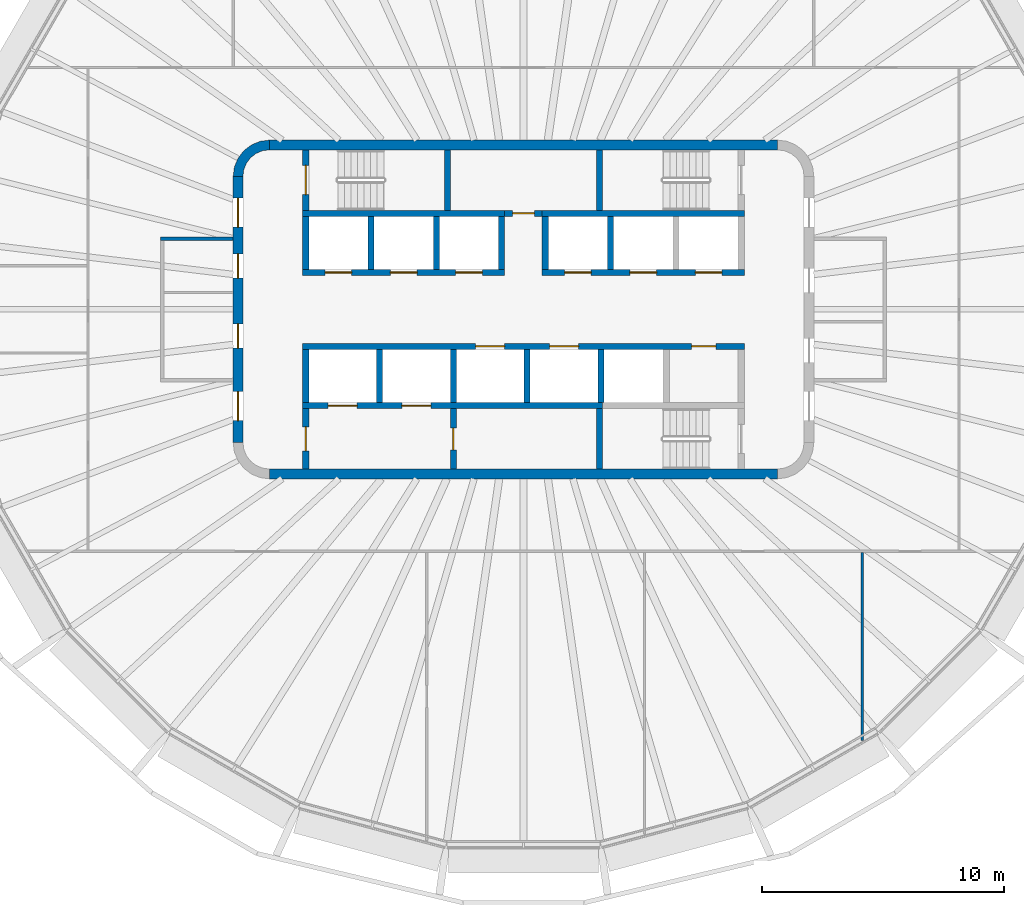
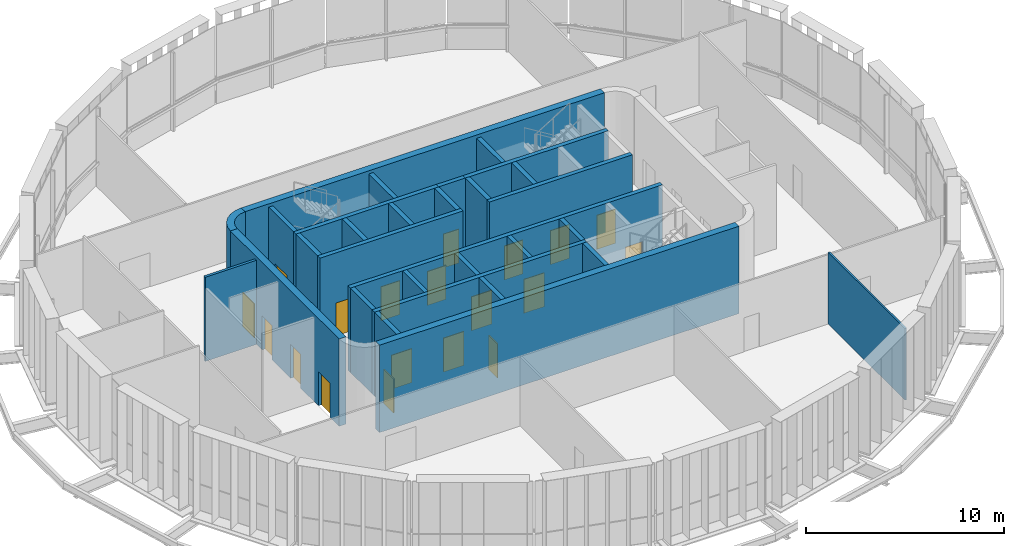
# One storey, part 7 of 16: 30 walls, 19 doors, 19 openings.
"""IFC4 building model written with IfcOpenShell, lengths in metres."""

from ifc_helpers import new_model, si_unit, direction, frame, frame_2d, origin, place, context, subcontext, project, spatial, polyline, rectangle, outline, extrude, material, layer, layer_set, type_object, element, fill, save


model = new_model("IFC4")

# Units and contexts
model_context = context("Model", 3, precision=1e-05, world=origin(), true_north=direction((0.0, 1.0)))
body_context = subcontext(model_context, "Body", "Model", "MODEL_VIEW")
ifc_project = project(units=[si_unit("LENGTHUNIT", "METRE"), si_unit("AREAUNIT", "SQUARE_METRE"), si_unit("VOLUMEUNIT", "CUBIC_METRE"), si_unit("PLANEANGLEUNIT", "RADIAN"), si_unit("MASSUNIT", "GRAM", prefix="KILO")], contexts=[model_context])

# Site, building, storey
site_placement = place(None, origin())
site = spatial("IfcSite", under=ifc_project, at=site_placement, CompositionType="ELEMENT")
building_placement = place(site_placement, origin())
building = spatial("IfcBuilding", under=site, at=building_placement, Name="Sahrelin Media Tower", CompositionType="ELEMENT")
storey_placement = place(building_placement, frame((0.0, 0.0, 324.39990234375)))
storey = spatial("IfcBuildingStorey", under=building, at=storey_placement, Name="L72", CompositionType="ELEMENT", Elevation=324.39990234375)

# Walls
ifc_material_1 = material(Name="Concrete C60/75", Category="concrete")
ifc_layer_1 = layer(ifc_material_1, 0.39990234375)
ifc_layer_set_1 = layer_set([ifc_layer_1], Name="Core wall 400")
wall_type_1 = type_object("IfcWallType", Name="Core wall 400", PredefinedType="SHEAR", material=ifc_layer_set_1)
for number, where, z_axis, x_axis, name in (
    (1, (-10.5, 6.800048828125, 0.0), (0.0, 0.0, 1.0), (1.0, 0.0, 0.0), "Core wall N L72"),
    (2, (-10.5, -6.800048828125, 0.0), (0.0, 0.0, 1.0), (1.0, 0.0, 0.0), "Core wall S L72"),
):
    element("IfcWall", number, at=place(storey_placement, frame(where, z_axis=z_axis, x_axis=x_axis)), inside=storey, type_object=wall_type_1, Name=name, PredefinedType="SHEAR", context=body_context, shape_type="SweptSolid", body=[
        extrude(rectangle(XDim=21.0, YDim=0.39990234375, at=frame_2d((10.5, 0.0))), origin(), (0.0, 0.0, 1.0), 5.400146484375),
    ])

# Wall, openings, doors
wall_1_placement = place(storey_placement, frame((-11.800048828125, -5.5, 0.0), z_axis=(0.0, 0.0, 1.0), x_axis=(0.0, 1.0, 0.0)))
wall_1 = element("IfcWall", 3, at=wall_1_placement, inside=storey, type_object=wall_type_1, Name="Core wall W L72", PredefinedType="SHEAR", context=body_context, shape_type="SweptSolid", body=[
    extrude(rectangle(XDim=11.0, YDim=0.39990234375, at=frame_2d((5.5, 0.0))), origin(), (0.0, 0.0, 1.0), 5.400146484375),
])
opening_1_placement = place(wall_1_placement, frame((3.89990234375, 0.0, 0.0)))
opening_1 = element("IfcOpeningElement", 4, at=opening_1_placement, cuts=wall_1, Name="Opening L72-D08", PredefinedType="OPENING", context=body_context, shape_type="SweptSolid", body=[
    extrude(rectangle(XDim=1.0, YDim=2.10009765625, at=frame_2d((0.5, 1.050048828125))), frame((0.0, 0.199951171875, 0.0), z_axis=(0.0, -1.0, 0.0), x_axis=(1.0, 0.0, 0.0)), (0.0, 0.0, 1.0), 0.39990234375),
])
opening_2_placement = place(wall_1_placement, frame((6.800048828125, 0.0, 0.0)))
opening_2 = element("IfcOpeningElement", 5, at=opening_2_placement, cuts=wall_1, Name="Opening L72-D09", PredefinedType="OPENING", context=body_context, shape_type="SweptSolid", body=[
    extrude(rectangle(XDim=1.0, YDim=2.10009765625, at=frame_2d((0.5, 1.050048828125))), frame((0.0, 0.199951171875, 0.0), z_axis=(0.0, -1.0, 0.0), x_axis=(1.0, 0.0, 0.0)), (0.0, 0.0, 1.0), 0.39990234375),
])
opening_3_placement = place(wall_1_placement, frame((0.89990234375, 0.0, 0.0)))
opening_3 = element("IfcOpeningElement", 6, at=opening_3_placement, cuts=wall_1, Name="Opening L72-D12", PredefinedType="OPENING", context=body_context, shape_type="SweptSolid", body=[
    extrude(rectangle(XDim=1.199951171875, YDim=2.10009765625, at=frame_2d((0.60009765625, 1.050048828125))), frame((0.0, 0.199951171875, 0.0), z_axis=(0.0, -1.0, 0.0), x_axis=(1.0, 0.0, 0.0)), (0.0, 0.0, 1.0), 0.39990234375),
])
opening_4_placement = place(wall_1_placement, frame((8.89990234375, 0.0, 0.0)))
opening_4 = element("IfcOpeningElement", 7, at=opening_4_placement, cuts=wall_1, Name="Opening L72-D13", PredefinedType="OPENING", context=body_context, shape_type="SweptSolid", body=[
    extrude(rectangle(XDim=1.199951171875, YDim=2.10009765625, at=frame_2d((0.60009765625, 1.050048828125))), frame((0.0, 0.199951171875, 0.0), z_axis=(0.0, -1.0, 0.0), x_axis=(1.0, 0.0, 0.0)), (0.0, 0.0, 1.0), 0.39990234375),
])
ifc_material_2 = material(Name="Steel fire door leaf", Category="steel")
door_type_1 = type_object("IfcDoorType", Name="Fire door 1000 x 2100 EI 60", OperationType="NOTDEFINED", PredefinedType="DOOR", material=ifc_material_2)
door_1_placement = place(opening_1_placement, origin())
door_1 = element("IfcDoor", 8, at=door_1_placement, inside=storey, type_object=door_type_1, Name="Core room door", OperationType="SINGLE_SWING_RIGHT", OverallHeight=2.10009765625, OverallWidth=1.0, PredefinedType="DOOR", context=body_context, shape_type="SweptSolid", body=[
    extrude(rectangle(XDim=1.0, YDim=2.10009765625, at=frame_2d((0.5, 1.050048828125))), frame((0.0, 0.02490234375, 0.0), z_axis=(0.0, -1.0, 0.0), x_axis=(1.0, 0.0, 0.0)), (0.0, 0.0, 1.0), 0.050048828125),
])
fill(opening_1, door_1)
door_2_placement = place(opening_2_placement, origin())
door_2 = element("IfcDoor", 9, at=door_2_placement, inside=storey, type_object=door_type_1, Name="Core room door", OperationType="SINGLE_SWING_RIGHT", OverallHeight=2.10009765625, OverallWidth=1.0, PredefinedType="DOOR", context=body_context, shape_type="SweptSolid", body=[
    extrude(rectangle(XDim=1.0, YDim=2.10009765625, at=frame_2d((0.5, 1.050048828125))), frame((0.0, 0.02490234375, 0.0), z_axis=(0.0, -1.0, 0.0), x_axis=(1.0, 0.0, 0.0)), (0.0, 0.0, 1.0), 0.050048828125),
])
fill(opening_2, door_2)
door_type_2 = type_object("IfcDoorType", Name="Lobby door 1200 x 2100 EI 60", OperationType="NOTDEFINED", PredefinedType="DOOR", material=ifc_material_2)
door_3_placement = place(opening_3_placement, origin())
door_3 = element("IfcDoor", 10, at=door_3_placement, inside=storey, type_object=door_type_2, Name="Lobby door", OperationType="SINGLE_SWING_LEFT", OverallHeight=2.10009765625, OverallWidth=1.199951171875, PredefinedType="DOOR", context=body_context, shape_type="SweptSolid", body=[
    extrude(rectangle(XDim=1.199951171875, YDim=2.10009765625, at=frame_2d((0.60009765625, 1.050048828125))), frame((0.0, 0.02490234375, 0.0), z_axis=(0.0, -1.0, 0.0), x_axis=(1.0, 0.0, 0.0)), (0.0, 0.0, 1.0), 0.050048828125),
])
fill(opening_3, door_3)
door_4_placement = place(opening_4_placement, origin())
door_4 = element("IfcDoor", 11, at=door_4_placement, inside=storey, type_object=door_type_2, Name="Lobby door", OperationType="SINGLE_SWING_LEFT", OverallHeight=2.10009765625, OverallWidth=1.199951171875, PredefinedType="DOOR", context=body_context, shape_type="SweptSolid", body=[
    extrude(rectangle(XDim=1.199951171875, YDim=2.10009765625, at=frame_2d((0.60009765625, 1.050048828125))), frame((0.0, 0.02490234375, 0.0), z_axis=(0.0, -1.0, 0.0), x_axis=(1.0, 0.0, 0.0)), (0.0, 0.0, 1.0), 0.050048828125),
])
fill(opening_4, door_4)

# Wall
wall_2_placement = place(storey_placement, origin())
element("IfcWall", 12, at=wall_2_placement, inside=storey, type_object=wall_type_1, Name="Core wall corner NW L72", PredefinedType="SHEAR", context=body_context, shape_type="SweptSolid", body=[
    extrude(outline(polyline([(-12.0, 5.5), (-11.596435546875, 5.5), (-11.55908203125, 5.78369140625), (-11.44970703125, 6.04833984375), (-11.275390625, 6.275390625), (-11.04833984375, 6.44970703125), (-10.78369140625, 6.55908203125), (-10.5, 6.596435546875), (-10.5, 7.0), (-10.88818359375, 6.948974609375), (-11.25, 6.799072265625), (-11.560791015625, 6.560791015625), (-11.799072265625, 6.25), (-11.948974609375, 5.88818359375), (-12.0, 5.5)])), origin(), (0.0, 0.0, 1.0), 5.400146484375),
])

# Wall, opening, door
ifc_material_3 = material(Name="Fire-rated gypsum board partition")
ifc_layer_2 = layer(ifc_material_3, 0.25)
ifc_layer_set_2 = layer_set([ifc_layer_2], Name="Fire-rated lobby wall 250")
wall_type_2 = type_object("IfcWallType", Name="Fire-rated lobby wall 250", PredefinedType="PARTITIONING", material=ifc_layer_set_2)
wall_3_placement = place(storey_placement, frame((-0.77490234375, 3.97509765625, 0.0), z_axis=(0.0, 0.0, 1.0), x_axis=(1.0, 0.0, 0.0)))
wall_3 = element("IfcWall", 13, at=wall_3_placement, inside=storey, type_object=wall_type_2, Name="Core lobby wall", PredefinedType="PARTITIONING", context=body_context, shape_type="SweptSolid", body=[
    extrude(rectangle(XDim=1.5498046875, YDim=0.25, at=frame_2d((0.77490234375, 0.0))), origin(), (0.0, 0.0, 1.0), 5.2001953125),
])
opening_5_placement = place(wall_3_placement, frame((0.324951171875, 0.0, 0.0)))
opening_5 = element("IfcOpeningElement", 14, at=opening_5_placement, cuts=wall_3, Name="Opening L72-D06", PredefinedType="OPENING", context=body_context, shape_type="SweptSolid", body=[
    extrude(rectangle(XDim=0.89990234375, YDim=2.10009765625, at=frame_2d((0.449951171875, 1.050048828125))), frame((0.0, 0.125, 0.0), z_axis=(0.0, -1.0, 0.0), x_axis=(1.0, 0.0, 0.0)), (0.0, 0.0, 1.0), 0.25),
])
door_type_3 = type_object("IfcDoorType", Name="Riser door 900 x 2100 EI 120", OperationType="NOTDEFINED", PredefinedType="DOOR", material=ifc_material_2)
door_5_placement = place(opening_5_placement, origin())
door_5 = element("IfcDoor", 15, at=door_5_placement, inside=storey, type_object=door_type_3, Name="Core room door", OperationType="SINGLE_SWING_LEFT", OverallHeight=2.10009765625, OverallWidth=0.89990234375, PredefinedType="DOOR", context=body_context, shape_type="SweptSolid", body=[
    extrude(rectangle(XDim=0.89990234375, YDim=2.10009765625, at=frame_2d((0.449951171875, 1.050048828125))), frame((0.0, 0.02490234375, 0.0), z_axis=(0.0, -1.0, 0.0), x_axis=(1.0, 0.0, 0.0)), (0.0, 0.0, 1.0), 0.050048828125),
])
fill(opening_5, door_5)

# Wall
ifc_layer_3 = layer(ifc_material_3, 0.14990234375)
ifc_layer_set_3 = layer_set([ifc_layer_3], Name="Fire-rated partition 150")
wall_type_3 = type_object("IfcWallType", Name="Fire-rated partition 150", PredefinedType="PARTITIONING", material=ifc_layer_set_3)
wall_4_placement = place(storey_placement, frame((-15.0, 2.925048828125, 0.0), z_axis=(0.0, 0.0, 1.0), x_axis=(1.0, 0.0, 0.0)))
element("IfcWall", 16, at=wall_4_placement, inside=storey, type_object=wall_type_3, Name="Core room fire partition", PredefinedType="PARTITIONING", context=body_context, shape_type="SweptSolid", body=[
    extrude(rectangle(XDim=3.0, YDim=0.14990234375, at=frame_2d((1.5, 0.0))), origin(), (0.0, 0.0, 1.0), 5.2001953125),
])

# Wall, opening, door
ifc_layer_4 = layer(ifc_material_3, 0.25)
ifc_layer_set_4 = layer_set([ifc_layer_4], Name="Firefighting lobby wall 250")
wall_type_4 = type_object("IfcWallType", Name="Firefighting lobby wall 250", PredefinedType="PARTITIONING", material=ifc_layer_set_4)
wall_5_placement = place(storey_placement, frame((-9.0, -6.60009765625, 0.0), z_axis=(0.0, 0.0, 1.0), x_axis=(0.0, 1.0, 0.0)))
wall_5 = element("IfcWall", 17, at=wall_5_placement, inside=storey, type_object=wall_type_4, Name="Core wall", PredefinedType="PARTITIONING", context=body_context, shape_type="SweptSolid", body=[
    extrude(rectangle(XDim=2.5, YDim=0.25, at=frame_2d((1.25, 0.0))), origin(), (0.0, 0.0, 1.0), 5.2001953125),
])
opening_6_placement = place(wall_5_placement, frame((0.75, 0.0, 0.0)))
opening_6 = element("IfcOpeningElement", 18, at=opening_6_placement, cuts=wall_5, Name="Opening L72-D04", PredefinedType="OPENING", context=body_context, shape_type="SweptSolid", body=[
    extrude(rectangle(XDim=1.0, YDim=2.10009765625, at=frame_2d((0.5, 1.050048828125))), frame((0.0, 0.125, 0.0), z_axis=(0.0, -1.0, 0.0), x_axis=(1.0, 0.0, 0.0)), (0.0, 0.0, 1.0), 0.25),
])
door_type_4 = type_object("IfcDoorType", Name="Firefighting lobby door 1000 x 2100 EI 120", OperationType="NOTDEFINED", PredefinedType="DOOR", material=ifc_material_2)
door_6_placement = place(opening_6_placement, origin())
door_6 = element("IfcDoor", 19, at=door_6_placement, inside=storey, type_object=door_type_4, Name="Firefighting lobby door", OperationType="SINGLE_SWING_LEFT", OverallHeight=2.10009765625, OverallWidth=1.0, PredefinedType="DOOR", context=body_context, shape_type="SweptSolid", body=[
    extrude(rectangle(XDim=1.0, YDim=2.10009765625, at=frame_2d((0.5, 1.050048828125))), frame((0.0, 0.02490234375, 0.0), z_axis=(0.0, -1.0, 0.0), x_axis=(1.0, 0.0, 0.0)), (0.0, 0.0, 1.0), 0.050048828125),
])
fill(opening_6, door_6)

wall_6_placement = place(storey_placement, frame((-2.89990234375, -6.60009765625, 0.0), z_axis=(0.0, 0.0, 1.0), x_axis=(0.0, 1.0, 0.0)))
wall_6 = element("IfcWall", 20, at=wall_6_placement, inside=storey, type_object=wall_type_4, Name="Core wall", PredefinedType="PARTITIONING", context=body_context, shape_type="SweptSolid", body=[
    extrude(rectangle(XDim=2.5, YDim=0.25, at=frame_2d((1.25, 0.0))), origin(), (0.0, 0.0, 1.0), 5.2001953125),
])
opening_7_placement = place(wall_6_placement, frame((0.800048828125, 0.0, 0.0)))
opening_7 = element("IfcOpeningElement", 21, at=opening_7_placement, cuts=wall_6, Name="Opening L72-D05", PredefinedType="OPENING", context=body_context, shape_type="SweptSolid", body=[
    extrude(rectangle(XDim=0.89990234375, YDim=2.10009765625, at=frame_2d((0.449951171875, 1.050048828125))), frame((0.0, 0.125, 0.0), z_axis=(0.0, -1.0, 0.0), x_axis=(1.0, 0.0, 0.0)), (0.0, 0.0, 1.0), 0.25),
])
door_type_5 = type_object("IfcDoorType", Name="Firefighting lobby door 900 x 2100 EI 120", OperationType="NOTDEFINED", PredefinedType="DOOR", material=ifc_material_2)
door_7_placement = place(opening_7_placement, origin())
door_7 = element("IfcDoor", 22, at=door_7_placement, inside=storey, type_object=door_type_5, Name="Riser door", OperationType="SINGLE_SWING_RIGHT", OverallHeight=2.10009765625, OverallWidth=0.89990234375, PredefinedType="DOOR", context=body_context, shape_type="SweptSolid", body=[
    extrude(rectangle(XDim=0.89990234375, YDim=2.10009765625, at=frame_2d((0.449951171875, 1.050048828125))), frame((0.0, 0.02490234375, 0.0), z_axis=(0.0, -1.0, 0.0), x_axis=(1.0, 0.0, 0.0)), (0.0, 0.0, 1.0), 0.050048828125),
])
fill(opening_7, door_7)

# Wall, openings, doors
ifc_layer_5 = layer(ifc_material_1, 0.25)
ifc_layer_set_5 = layer_set([ifc_layer_5], Name="Lift shaft wall 250")
wall_type_5 = type_object("IfcWallType", Name="Lift shaft wall 250", PredefinedType="SOLIDWALL", material=ifc_layer_set_5)
wall_7_placement = place(storey_placement, frame((-9.125, 1.52490234375, 0.0), z_axis=(0.0, 0.0, 1.0), x_axis=(1.0, 0.0, 0.0)))
wall_7 = element("IfcWall", 23, at=wall_7_placement, inside=storey, type_object=wall_type_5, Name="Lift shaft wall", PredefinedType="SOLIDWALL", context=body_context, shape_type="SweptSolid", body=[
    extrude(rectangle(XDim=8.35009765625, YDim=0.25, at=frame_2d((4.175048828125, 0.0))), origin(), (0.0, 0.0, 1.0), 5.2001953125),
])
opening_8_placement = place(wall_7_placement, frame((0.925048828125, 0.0, 0.0)))
opening_8 = element("IfcOpeningElement", 24, at=opening_8_placement, cuts=wall_7, Name="Opening L72-LD-HR1", PredefinedType="OPENING", context=body_context, shape_type="SweptSolid", body=[
    extrude(rectangle(XDim=1.10009765625, YDim=2.10009765625, at=frame_2d((0.550048828125, 1.050048828125))), frame((0.0, 0.125, 0.0), z_axis=(0.0, -1.0, 0.0), x_axis=(1.0, 0.0, 0.0)), (0.0, 0.0, 1.0), 0.25),
])
opening_9_placement = place(wall_7_placement, frame((3.625, 0.0, 0.0)))
opening_9 = element("IfcOpeningElement", 25, at=opening_9_placement, cuts=wall_7, Name="Opening L72-LD-HR2", PredefinedType="OPENING", context=body_context, shape_type="SweptSolid", body=[
    extrude(rectangle(XDim=1.10009765625, YDim=2.10009765625, at=frame_2d((0.550048828125, 1.050048828125))), frame((0.0, 0.125, 0.0), z_axis=(0.0, -1.0, 0.0), x_axis=(1.0, 0.0, 0.0)), (0.0, 0.0, 1.0), 0.25),
])
opening_10_placement = place(wall_7_placement, frame((6.324951171875, 0.0, 0.0)))
opening_10 = element("IfcOpeningElement", 26, at=opening_10_placement, cuts=wall_7, Name="Opening L72-LD-HR3", PredefinedType="OPENING", context=body_context, shape_type="SweptSolid", body=[
    extrude(rectangle(XDim=1.10009765625, YDim=2.10009765625, at=frame_2d((0.550048828125, 1.050048828125))), frame((0.0, 0.125, 0.0), z_axis=(0.0, -1.0, 0.0), x_axis=(1.0, 0.0, 0.0)), (0.0, 0.0, 1.0), 0.25),
])
ifc_material_4 = material(Name="Stainless steel", Category="steel")
door_type_6 = type_object("IfcDoorType", Name="Lift landing door 1100 x 2100 EI 120", OperationType="DOUBLE_DOOR_SLIDING", PredefinedType="DOOR", material=ifc_material_4)
door_8_placement = place(opening_8_placement, origin())
door_8 = element("IfcDoor", 27, at=door_8_placement, inside=storey, type_object=door_type_6, Name="Lift landing door HR1", OperationType="DOUBLE_DOOR_SLIDING", OverallHeight=2.10009765625, OverallWidth=1.10009765625, PredefinedType="DOOR", context=body_context, shape_type="SweptSolid", body=[
    extrude(rectangle(XDim=1.10009765625, YDim=2.10009765625, at=frame_2d((0.550048828125, 1.050048828125))), frame((0.0, 0.02490234375, 0.0), z_axis=(0.0, -1.0, 0.0), x_axis=(1.0, 0.0, 0.0)), (0.0, 0.0, 1.0), 0.050048828125),
])
fill(opening_8, door_8)
door_9_placement = place(opening_9_placement, origin())
door_9 = element("IfcDoor", 28, at=door_9_placement, inside=storey, type_object=door_type_6, Name="Lift landing door HR2", OperationType="DOUBLE_DOOR_SLIDING", OverallHeight=2.10009765625, OverallWidth=1.10009765625, PredefinedType="DOOR", context=body_context, shape_type="SweptSolid", body=[
    extrude(rectangle(XDim=1.10009765625, YDim=2.10009765625, at=frame_2d((0.550048828125, 1.050048828125))), frame((0.0, 0.02490234375, 0.0), z_axis=(0.0, -1.0, 0.0), x_axis=(1.0, 0.0, 0.0)), (0.0, 0.0, 1.0), 0.050048828125),
])
fill(opening_9, door_9)
door_10_placement = place(opening_10_placement, origin())
door_10 = element("IfcDoor", 29, at=door_10_placement, inside=storey, type_object=door_type_6, Name="Lift landing door HR3", OperationType="DOUBLE_DOOR_SLIDING", OverallHeight=2.10009765625, OverallWidth=1.10009765625, PredefinedType="DOOR", context=body_context, shape_type="SweptSolid", body=[
    extrude(rectangle(XDim=1.10009765625, YDim=2.10009765625, at=frame_2d((0.550048828125, 1.050048828125))), frame((0.0, 0.02490234375, 0.0), z_axis=(0.0, -1.0, 0.0), x_axis=(1.0, 0.0, 0.0)), (0.0, 0.0, 1.0), 0.050048828125),
])
fill(opening_10, door_10)

wall_8_placement = place(storey_placement, frame((0.77490234375, 1.52490234375, 0.0), z_axis=(0.0, 0.0, 1.0), x_axis=(1.0, 0.0, 0.0)))
wall_8 = element("IfcWall", 30, at=wall_8_placement, inside=storey, type_object=wall_type_5, Name="Lift shaft wall", PredefinedType="SOLIDWALL", context=body_context, shape_type="SweptSolid", body=[
    extrude(rectangle(XDim=8.35009765625, YDim=0.25, at=frame_2d((4.175048828125, 0.0))), origin(), (0.0, 0.0, 1.0), 5.2001953125),
])
opening_11_placement = place(wall_8_placement, frame((0.925048828125, 0.0, 0.0)))
opening_11 = element("IfcOpeningElement", 31, at=opening_11_placement, cuts=wall_8, Name="Opening L72-LD-HR4", PredefinedType="OPENING", context=body_context, shape_type="SweptSolid", body=[
    extrude(rectangle(XDim=1.10009765625, YDim=2.10009765625, at=frame_2d((0.550048828125, 1.050048828125))), frame((0.0, 0.125, 0.0), z_axis=(0.0, -1.0, 0.0), x_axis=(1.0, 0.0, 0.0)), (0.0, 0.0, 1.0), 0.25),
])
opening_12_placement = place(wall_8_placement, frame((3.625, 0.0, 0.0)))
opening_12 = element("IfcOpeningElement", 32, at=opening_12_placement, cuts=wall_8, Name="Opening L72-LD-HR5", PredefinedType="OPENING", context=body_context, shape_type="SweptSolid", body=[
    extrude(rectangle(XDim=1.10009765625, YDim=2.10009765625, at=frame_2d((0.550048828125, 1.050048828125))), frame((0.0, 0.125, 0.0), z_axis=(0.0, -1.0, 0.0), x_axis=(1.0, 0.0, 0.0)), (0.0, 0.0, 1.0), 0.25),
])
opening_13_placement = place(wall_8_placement, frame((6.324951171875, 0.0, 0.0)))
opening_13 = element("IfcOpeningElement", 33, at=opening_13_placement, cuts=wall_8, Name="Opening L72-LD-HR6", PredefinedType="OPENING", context=body_context, shape_type="SweptSolid", body=[
    extrude(rectangle(XDim=1.10009765625, YDim=2.10009765625, at=frame_2d((0.550048828125, 1.050048828125))), frame((0.0, 0.125, 0.0), z_axis=(0.0, -1.0, 0.0), x_axis=(1.0, 0.0, 0.0)), (0.0, 0.0, 1.0), 0.25),
])
door_11_placement = place(opening_11_placement, origin())
door_11 = element("IfcDoor", 34, at=door_11_placement, inside=storey, type_object=door_type_6, Name="Lift landing door HR4", OperationType="DOUBLE_DOOR_SLIDING", OverallHeight=2.10009765625, OverallWidth=1.10009765625, PredefinedType="DOOR", context=body_context, shape_type="SweptSolid", body=[
    extrude(rectangle(XDim=1.10009765625, YDim=2.10009765625, at=frame_2d((0.550048828125, 1.050048828125))), frame((0.0, 0.02490234375, 0.0), z_axis=(0.0, -1.0, 0.0), x_axis=(1.0, 0.0, 0.0)), (0.0, 0.0, 1.0), 0.050048828125),
])
fill(opening_11, door_11)
door_12_placement = place(opening_12_placement, origin())
door_12 = element("IfcDoor", 35, at=door_12_placement, inside=storey, type_object=door_type_6, Name="Lift landing door HR5", OperationType="DOUBLE_DOOR_SLIDING", OverallHeight=2.10009765625, OverallWidth=1.10009765625, PredefinedType="DOOR", context=body_context, shape_type="SweptSolid", body=[
    extrude(rectangle(XDim=1.10009765625, YDim=2.10009765625, at=frame_2d((0.550048828125, 1.050048828125))), frame((0.0, 0.02490234375, 0.0), z_axis=(0.0, -1.0, 0.0), x_axis=(1.0, 0.0, 0.0)), (0.0, 0.0, 1.0), 0.050048828125),
])
fill(opening_12, door_12)
door_13_placement = place(opening_13_placement, origin())
door_13 = element("IfcDoor", 36, at=door_13_placement, inside=storey, type_object=door_type_6, Name="Lift landing door HR6", OperationType="DOUBLE_DOOR_SLIDING", OverallHeight=2.10009765625, OverallWidth=1.10009765625, PredefinedType="DOOR", context=body_context, shape_type="SweptSolid", body=[
    extrude(rectangle(XDim=1.10009765625, YDim=2.10009765625, at=frame_2d((0.550048828125, 1.050048828125))), frame((0.0, 0.02490234375, 0.0), z_axis=(0.0, -1.0, 0.0), x_axis=(1.0, 0.0, 0.0)), (0.0, 0.0, 1.0), 0.050048828125),
])
fill(opening_13, door_13)

# Walls
for number, where, z_axis, x_axis, name in (
    (37, (-9.125, 3.97509765625, 0.0), (0.0, 0.0, 1.0), (1.0, 0.0, 0.0), "Lift shaft wall"),
    (38, (0.77490234375, 3.97509765625, 0.0), (0.0, 0.0, 1.0), (1.0, 0.0, 0.0), "Lift shaft wall"),
):
    element("IfcWall", number, at=place(storey_placement, frame(where, z_axis=z_axis, x_axis=x_axis)), inside=storey, type_object=wall_type_5, Name=name, PredefinedType="SOLIDWALL", context=body_context, shape_type="SweptSolid", body=[
        extrude(rectangle(XDim=8.35009765625, YDim=0.25, at=frame_2d((4.175048828125, 0.0))), origin(), (0.0, 0.0, 1.0), 5.2001953125),
    ])
for number, where, z_axis, x_axis, name in (
    (39, (-9.0, 1.64990234375, 0.0), (0.0, 0.0, 1.0), (0.0, 1.0, 0.0), "Lift shaft wall"),
    (40, (-6.300048828125, 1.64990234375, 0.0), (0.0, 0.0, 1.0), (0.0, 1.0, 0.0), "Lift shaft wall"),
    (41, (-3.60009765625, 1.64990234375, 0.0), (0.0, 0.0, 1.0), (0.0, 1.0, 0.0), "Lift shaft wall"),
    (42, (3.60009765625, 1.64990234375, 0.0), (0.0, 0.0, 1.0), (0.0, 1.0, 0.0), "Lift shaft wall"),
    (43, (-0.89990234375, 1.64990234375, 0.0), (0.0, 0.0, 1.0), (0.0, 1.0, 0.0), "Lift shaft wall"),
    (44, (0.89990234375, 1.64990234375, 0.0), (0.0, 0.0, 1.0), (0.0, 1.0, 0.0), "Lift shaft wall"),
):
    element("IfcWall", number, at=place(storey_placement, frame(where, z_axis=z_axis, x_axis=x_axis)), inside=storey, type_object=wall_type_5, Name=name, PredefinedType="SOLIDWALL", context=body_context, shape_type="SweptSolid", body=[
        extrude(rectangle(XDim=2.2001953125, YDim=0.25, at=frame_2d((1.10009765625, 0.0))), origin(), (0.0, 0.0, 1.0), 5.2001953125),
    ])

# Wall, openings, doors
wall_9_placement = place(storey_placement, frame((-9.125, -1.52490234375, 0.0), z_axis=(0.0, 0.0, 1.0), x_axis=(1.0, 0.0, 0.0)))
wall_9 = element("IfcWall", 45, at=wall_9_placement, inside=storey, type_object=wall_type_5, Name="Lift shaft wall", PredefinedType="SOLIDWALL", context=body_context, shape_type="SweptSolid", body=[
    extrude(rectangle(XDim=18.25, YDim=0.25, at=frame_2d((9.125, 0.0))), origin(), (0.0, 0.0, 1.0), 5.2001953125),
])
opening_14_placement = place(wall_9_placement, frame((7.14990234375, 0.0, 0.0)))
opening_14 = element("IfcOpeningElement", 46, at=opening_14_placement, cuts=wall_9, Name="Opening L72-LD-SV1", PredefinedType="OPENING", context=body_context, shape_type="SweptSolid", body=[
    extrude(rectangle(XDim=1.199951171875, YDim=2.10009765625, at=frame_2d((0.60009765625, 1.050048828125))), frame((0.0, 0.125, 0.0), z_axis=(0.0, -1.0, 0.0), x_axis=(1.0, 0.0, 0.0)), (0.0, 0.0, 1.0), 0.25),
])
opening_15_placement = place(wall_9_placement, frame((10.199951171875, 0.0, 0.0)))
opening_15 = element("IfcOpeningElement", 47, at=opening_15_placement, cuts=wall_9, Name="Opening L72-LD-SV2", PredefinedType="OPENING", context=body_context, shape_type="SweptSolid", body=[
    extrude(rectangle(XDim=1.199951171875, YDim=2.10009765625, at=frame_2d((0.60009765625, 1.050048828125))), frame((0.0, 0.125, 0.0), z_axis=(0.0, -1.0, 0.0), x_axis=(1.0, 0.0, 0.0)), (0.0, 0.0, 1.0), 0.25),
])
opening_16_placement = place(wall_9_placement, frame((16.074951171875, 0.0, 0.0)))
opening_16 = element("IfcOpeningElement", 48, at=opening_16_placement, cuts=wall_9, Name="Opening L72-D07", PredefinedType="OPENING", context=body_context, shape_type="SweptSolid", body=[
    extrude(rectangle(XDim=1.0, YDim=2.10009765625, at=frame_2d((0.5, 1.050048828125))), frame((0.0, 0.125, 0.0), z_axis=(0.0, -1.0, 0.0), x_axis=(1.0, 0.0, 0.0)), (0.0, 0.0, 1.0), 0.25),
])
door_14_placement = place(opening_16_placement, origin())
door_14 = element("IfcDoor", 49, at=door_14_placement, inside=storey, type_object=door_type_1, Name="Core room door", OperationType="SINGLE_SWING_RIGHT", OverallHeight=2.10009765625, OverallWidth=1.0, PredefinedType="DOOR", context=body_context, shape_type="SweptSolid", body=[
    extrude(rectangle(XDim=1.0, YDim=2.10009765625, at=frame_2d((0.5, 1.050048828125))), frame((0.0, 0.02490234375, 0.0), z_axis=(0.0, -1.0, 0.0), x_axis=(1.0, 0.0, 0.0)), (0.0, 0.0, 1.0), 0.050048828125),
])
fill(opening_16, door_14)
door_type_7 = type_object("IfcDoorType", Name="Lift landing door 1200 x 2100 EI 120", OperationType="DOUBLE_DOOR_SLIDING", PredefinedType="DOOR", material=ifc_material_4)
door_15_placement = place(opening_14_placement, origin())
door_15 = element("IfcDoor", 50, at=door_15_placement, inside=storey, type_object=door_type_7, Name="Lift landing door SV1", OperationType="DOUBLE_DOOR_SLIDING", OverallHeight=2.10009765625, OverallWidth=1.199951171875, PredefinedType="DOOR", context=body_context, shape_type="SweptSolid", body=[
    extrude(rectangle(XDim=1.199951171875, YDim=2.10009765625, at=frame_2d((0.60009765625, 1.050048828125))), frame((0.0, 0.02490234375, 0.0), z_axis=(0.0, -1.0, 0.0), x_axis=(1.0, 0.0, 0.0)), (0.0, 0.0, 1.0), 0.050048828125),
])
fill(opening_14, door_15)
door_16_placement = place(opening_15_placement, origin())
door_16 = element("IfcDoor", 51, at=door_16_placement, inside=storey, type_object=door_type_7, Name="Lift landing door SV2", OperationType="DOUBLE_DOOR_SLIDING", OverallHeight=2.10009765625, OverallWidth=1.199951171875, PredefinedType="DOOR", context=body_context, shape_type="SweptSolid", body=[
    extrude(rectangle(XDim=1.199951171875, YDim=2.10009765625, at=frame_2d((0.60009765625, 1.050048828125))), frame((0.0, 0.02490234375, 0.0), z_axis=(0.0, -1.0, 0.0), x_axis=(1.0, 0.0, 0.0)), (0.0, 0.0, 1.0), 0.050048828125),
])
fill(opening_15, door_16)

wall_10_placement = place(storey_placement, frame((-9.125, -3.97509765625, 0.0), z_axis=(0.0, 0.0, 1.0), x_axis=(1.0, 0.0, 0.0)))
wall_10 = element("IfcWall", 52, at=wall_10_placement, inside=storey, type_object=wall_type_5, Name="Lift shaft wall", PredefinedType="SOLIDWALL", context=body_context, shape_type="SweptSolid", body=[
    extrude(rectangle(XDim=12.39990234375, YDim=0.25, at=frame_2d((6.199951171875, 0.0))), origin(), (0.0, 0.0, 1.0), 5.2001953125),
])
opening_17_placement = place(wall_10_placement, frame((1.050048828125, 0.0, 0.0)))
opening_17 = element("IfcOpeningElement", 53, at=opening_17_placement, cuts=wall_10, Name="Opening L72-LD-FF1", PredefinedType="OPENING", context=body_context, shape_type="SweptSolid", body=[
    extrude(rectangle(XDim=1.199951171875, YDim=2.10009765625, at=frame_2d((0.60009765625, 1.050048828125))), frame((0.0, 0.125, 0.0), z_axis=(0.0, -1.0, 0.0), x_axis=(1.0, 0.0, 0.0)), (0.0, 0.0, 1.0), 0.25),
])
opening_18_placement = place(wall_10_placement, frame((4.10009765625, 0.0, 0.0)))
opening_18 = element("IfcOpeningElement", 54, at=opening_18_placement, cuts=wall_10, Name="Opening L72-LD-FF2", PredefinedType="OPENING", context=body_context, shape_type="SweptSolid", body=[
    extrude(rectangle(XDim=1.199951171875, YDim=2.10009765625, at=frame_2d((0.60009765625, 1.050048828125))), frame((0.0, 0.125, 0.0), z_axis=(0.0, -1.0, 0.0), x_axis=(1.0, 0.0, 0.0)), (0.0, 0.0, 1.0), 0.25),
])
door_17_placement = place(opening_17_placement, origin())
door_17 = element("IfcDoor", 55, at=door_17_placement, inside=storey, type_object=door_type_7, Name="Lift landing door FF1", OperationType="DOUBLE_DOOR_SLIDING", OverallHeight=2.10009765625, OverallWidth=1.199951171875, PredefinedType="DOOR", context=body_context, shape_type="SweptSolid", body=[
    extrude(rectangle(XDim=1.199951171875, YDim=2.10009765625, at=frame_2d((0.60009765625, 1.050048828125))), frame((0.0, 0.02490234375, 0.0), z_axis=(0.0, -1.0, 0.0), x_axis=(1.0, 0.0, 0.0)), (0.0, 0.0, 1.0), 0.050048828125),
])
fill(opening_17, door_17)
door_18_placement = place(opening_18_placement, origin())
door_18 = element("IfcDoor", 56, at=door_18_placement, inside=storey, type_object=door_type_7, Name="Lift landing door FF2", OperationType="DOUBLE_DOOR_SLIDING", OverallHeight=2.10009765625, OverallWidth=1.199951171875, PredefinedType="DOOR", context=body_context, shape_type="SweptSolid", body=[
    extrude(rectangle(XDim=1.199951171875, YDim=2.10009765625, at=frame_2d((0.60009765625, 1.050048828125))), frame((0.0, 0.02490234375, 0.0), z_axis=(0.0, -1.0, 0.0), x_axis=(1.0, 0.0, 0.0)), (0.0, 0.0, 1.0), 0.050048828125),
])
fill(opening_18, door_18)

# Walls
for number, where, z_axis, x_axis, name in (
    (57, (-9.0, -3.85009765625, 0.0), (0.0, 0.0, 1.0), (0.0, 1.0, 0.0), "Lift shaft wall"),
    (58, (-5.949951171875, -3.85009765625, 0.0), (0.0, 0.0, 1.0), (0.0, 1.0, 0.0), "Lift shaft wall"),
    (59, (-2.89990234375, -3.85009765625, 0.0), (0.0, 0.0, 1.0), (0.0, 1.0, 0.0), "Lift shaft wall"),
    (60, (0.14990234375, -3.85009765625, 0.0), (0.0, 0.0, 1.0), (0.0, 1.0, 0.0), "Lift shaft wall"),
    (61, (3.199951171875, -3.85009765625, 0.0), (0.0, 0.0, 1.0), (0.0, 1.0, 0.0), "Lift shaft wall"),
):
    element("IfcWall", number, at=place(storey_placement, frame(where, z_axis=z_axis, x_axis=x_axis)), inside=storey, type_object=wall_type_5, Name=name, PredefinedType="SOLIDWALL", context=body_context, shape_type="SweptSolid", body=[
        extrude(rectangle(XDim=2.2001953125, YDim=0.25, at=frame_2d((1.10009765625, 0.0))), origin(), (0.0, 0.0, 1.0), 5.2001953125),
    ])
ifc_material_5 = material(Name="Gypsum board partition")
ifc_layer_6 = layer(ifc_material_5, 0.10009765625)
ifc_layer_set_6 = layer_set([ifc_layer_6], Name="Partition 100")
wall_type_6 = type_object("IfcWallType", Name="Partition 100", PredefinedType="PARTITIONING", material=ifc_layer_set_6)
wall_11_placement = place(storey_placement, frame((14.0, -10.050048828125, 0.0), z_axis=(0.0, 0.0, 1.0), x_axis=(0.0, -1.0, 0.0)))
element("IfcWall", 62, at=wall_11_placement, inside=storey, type_object=wall_type_6, Name="Wall", PredefinedType="PARTITIONING", context=body_context, shape_type="SweptSolid", body=[
    extrude(rectangle(XDim=7.767822265625, YDim=0.10009765625, at=frame_2d((3.8837890625, 0.0))), origin(), (0.0, 0.0, 1.0), 4.426025390625),
])

# Wall, opening, door
ifc_layer_7 = layer(ifc_material_1, 0.25)
ifc_layer_set_7 = layer_set([ifc_layer_7], Name="Stair enclosure wall 250")
wall_type_7 = type_object("IfcWallType", Name="Stair enclosure wall 250", PredefinedType="SOLIDWALL", material=ifc_layer_set_7)
wall_12_placement = place(storey_placement, frame((-9.0, 4.10009765625, 0.0), z_axis=(0.0, 0.0, 1.0), x_axis=(0.0, 1.0, 0.0)))
wall_12 = element("IfcWall", 63, at=wall_12_placement, inside=storey, type_object=wall_type_7, Name="Stair enclosure wall", PredefinedType="SOLIDWALL", context=body_context, shape_type="SweptSolid", body=[
    extrude(rectangle(XDim=2.5, YDim=0.25, at=frame_2d((1.25, 0.0))), origin(), (0.0, 0.0, 1.0), 5.2001953125),
])
opening_19_placement = place(wall_12_placement, frame((0.64990234375, 0.0, 0.0)))
opening_19 = element("IfcOpeningElement", 64, at=opening_19_placement, cuts=wall_12, Name="Opening L72-D01", PredefinedType="OPENING", context=body_context, shape_type="SweptSolid", body=[
    extrude(rectangle(XDim=1.199951171875, YDim=2.10009765625, at=frame_2d((0.60009765625, 1.050048828125))), frame((0.0, 0.125, 0.0), z_axis=(0.0, -1.0, 0.0), x_axis=(1.0, 0.0, 0.0)), (0.0, 0.0, 1.0), 0.25),
])
door_type_8 = type_object("IfcDoorType", Name="Stair door 1200 x 2100 EI 120", OperationType="NOTDEFINED", PredefinedType="DOOR", material=ifc_material_2)
door_19_placement = place(opening_19_placement, origin())
door_19 = element("IfcDoor", 65, at=door_19_placement, inside=storey, type_object=door_type_8, Name="Stair door ST1", OperationType="SINGLE_SWING_RIGHT", OverallHeight=2.10009765625, OverallWidth=1.199951171875, PredefinedType="DOOR", context=body_context, shape_type="SweptSolid", body=[
    extrude(rectangle(XDim=1.199951171875, YDim=2.10009765625, at=frame_2d((0.60009765625, 1.050048828125))), frame((0.0, 0.02490234375, 0.0), z_axis=(0.0, -1.0, 0.0), x_axis=(1.0, 0.0, 0.0)), (0.0, 0.0, 1.0), 0.050048828125),
])
fill(opening_19, door_19)

# Walls
for number, where, z_axis, x_axis, name in (
    (66, (-3.14990234375, 4.10009765625, 0.0), (0.0, 0.0, 1.0), (0.0, 1.0, 0.0), "Stair enclosure wall"),
    (67, (3.14990234375, 4.10009765625, 0.0), (0.0, 0.0, 1.0), (0.0, 1.0, 0.0), "Stair enclosure wall"),
    (68, (3.14990234375, -6.60009765625, 0.0), (0.0, 0.0, 1.0), (0.0, 1.0, 0.0), "Stair enclosure wall"),
):
    element("IfcWall", number, at=place(storey_placement, frame(where, z_axis=z_axis, x_axis=x_axis)), inside=storey, type_object=wall_type_7, Name=name, PredefinedType="SOLIDWALL", context=body_context, shape_type="SweptSolid", body=[
        extrude(rectangle(XDim=2.5, YDim=0.25, at=frame_2d((1.25, 0.0))), origin(), (0.0, 0.0, 1.0), 5.2001953125),
    ])

save(model, "model.ifc")
